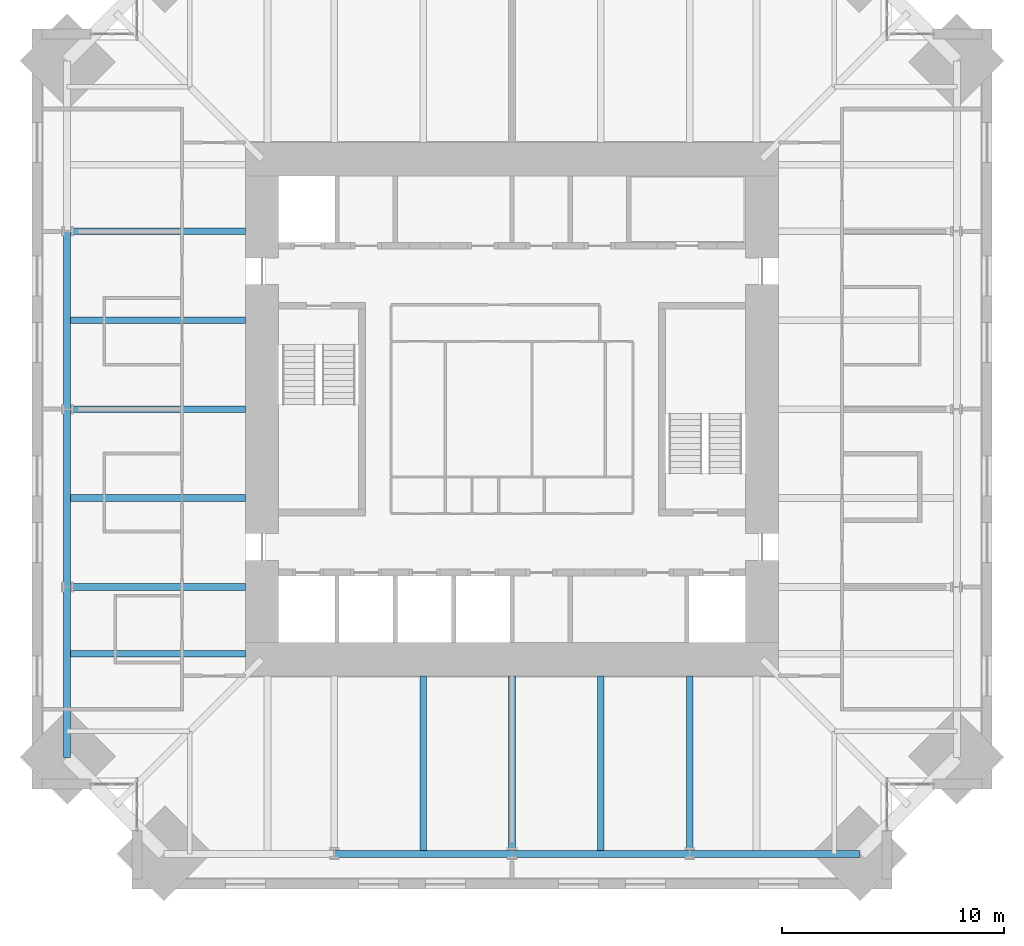
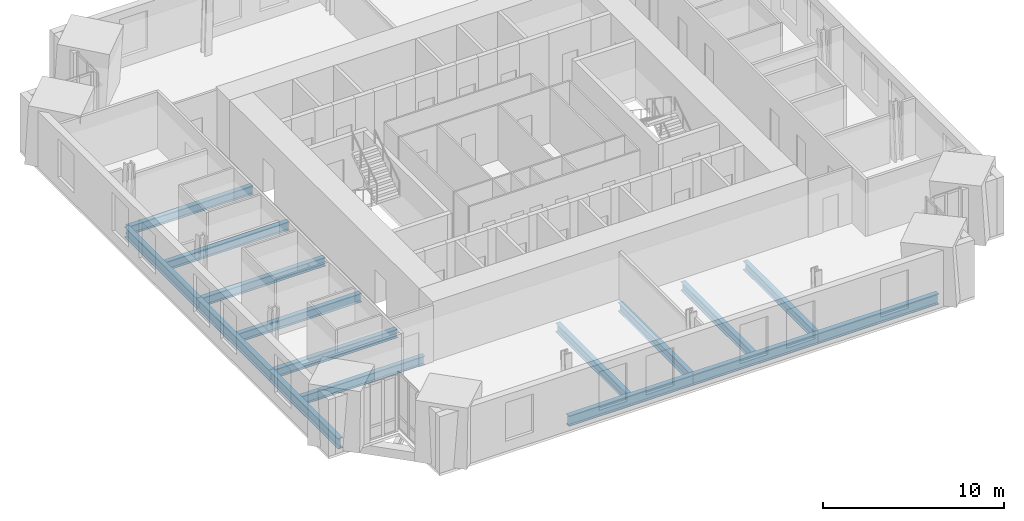
# One storey, part 3 of 16: 16 beams.
"""IFC4 building model written with IfcOpenShell, lengths in metres."""

from ifc_helpers import new_model, si_unit, direction, frame, origin, origin_2d, place, context, subcontext, project, spatial, i_section, extrude, material, material_profile, profile_set, type_object, element, save


model = new_model("IFC4")

# Units and contexts
model_context = context("Model", 3, precision=1e-05, world=origin(), true_north=direction((0.0, 1.0)))
body_context = subcontext(model_context, "Body", "Model", "MODEL_VIEW")
ifc_project = project(units=[si_unit("LENGTHUNIT", "METRE"), si_unit("AREAUNIT", "SQUARE_METRE"), si_unit("VOLUMEUNIT", "CUBIC_METRE"), si_unit("PLANEANGLEUNIT", "RADIAN"), si_unit("MASSUNIT", "GRAM", prefix="KILO")], contexts=[model_context])

# Site, building, storey
site_placement = place(None, origin())
site = spatial("IfcSite", under=ifc_project, at=site_placement, CompositionType="ELEMENT")
building_placement = place(site_placement, origin())
building = spatial("IfcBuilding", under=site, at=building_placement, Name="Peilmerk Tower", CompositionType="ELEMENT")
storey_placement = place(building_placement, frame((0.0, 0.0, 269.800048828125)))
storey = spatial("IfcBuildingStorey", under=building, at=storey_placement, Name="L60", CompositionType="ELEMENT", Elevation=269.800048828125)

# Beams
ifc_material = material(Name="Steel S355", Category="steel")
ifc_material_profile_1 = material_profile(ifc_material, i_section(OverallWidth=0.300048828125, OverallDepth=0.590087890625, WebThickness=0.012939453125, FlangeThickness=0.02490234375, at=origin_2d()), Name="HEA 600")
ifc_profile_set_1 = profile_set([ifc_material_profile_1], Name="Steel S355")
beam_type_1 = type_object("IfcBeamType", Name="B27 HEA 600 floor beam", PredefinedType="BEAM", material=ifc_profile_set_1)
for number, where, z_axis, x_axis, name in (
    (1, (-4.0, -12.0, -0.465087890625), (0.0, -1.0, 0.0), (1.0, 0.0, 0.0), "Floor beam L60"),
    (2, (0.0, -12.0, -0.465087890625), (0.0, -1.0, 0.0), (1.0, 0.0, 0.0), "Floor beam L60"),
    (3, (4.0, -12.0, -0.465087890625), (0.0, -1.0, 0.0), (1.0, 0.0, 0.0), "Floor beam L60"),
    (4, (8.0, -12.0, -0.465087890625), (0.0, -1.0, 0.0), (1.0, 0.0, 0.0), "Floor beam L60"),
    (5, (-12.0, 8.0, -0.465087890625), (-1.0, 0.0, 0.0), (0.0, -1.0, 0.0), "Floor beam L60"),
    (6, (-12.0, 4.0, -0.465087890625), (-1.0, 0.0, 0.0), (0.0, -1.0, 0.0), "Floor beam L60"),
    (7, (-12.0, 0.0, -0.465087890625), (-1.0, 0.0, 0.0), (0.0, -1.0, 0.0), "Floor beam L60"),
    (8, (-12.0, -4.0, -0.465087890625), (-1.0, 0.0, 0.0), (0.0, -1.0, 0.0), "Floor beam L60"),
    (9, (-12.0, -8.0, -0.465087890625), (-1.0, 0.0, 0.0), (0.0, -1.0, 0.0), "Floor beam L60"),
    (10, (-12.0, -11.0, -0.465087890625), (-1.0, 0.0, 0.0), (0.0, -1.0, 0.0), "Floor beam L60"),
):
    element("IfcBeam", number, at=place(storey_placement, frame(where, z_axis=z_axis, x_axis=x_axis)), inside=storey, type_object=beam_type_1, Name=name, PredefinedType="BEAM", context=body_context, shape_type="SweptSolid", body=[
        extrude(i_section(OverallWidth=0.300048828125, OverallDepth=0.590087890625, WebThickness=0.012939453125, FlangeThickness=0.02490234375, at=origin_2d()), origin(), (0.0, 0.0, 1.0), 8.017822265625),
    ])
ifc_material_profile_2 = material_profile(ifc_material, i_section(OverallWidth=0.303955078125, OverallDepth=0.716064453125, WebThickness=0.02099609375, FlangeThickness=0.0400390625, at=origin_2d()), Name="HEM 700")
ifc_profile_set_2 = profile_set([ifc_material_profile_2], Name="Steel S355")
beam_type_2 = type_object("IfcBeamType", Name="B30 HEM 700 edge beam", PredefinedType="SPANDREL", material=ifc_profile_set_2)
for number, where, z_axis, x_axis, name in (
    (11, (-8.0, -20.017822265625, -0.528076171875), (1.0, 0.0, 0.0), (0.0, 1.0, 0.0), "Edge beam L60"),
    (12, (0.0, -20.017822265625, -0.528076171875), (1.0, 0.0, 0.0), (0.0, 1.0, 0.0), "Edge beam L60"),
):
    element("IfcBeam", number, at=place(storey_placement, frame(where, z_axis=z_axis, x_axis=x_axis)), inside=storey, type_object=beam_type_2, Name=name, PredefinedType="SPANDREL", context=body_context, shape_type="SweptSolid", body=[
        extrude(i_section(OverallWidth=0.303955078125, OverallDepth=0.716064453125, WebThickness=0.02099609375, FlangeThickness=0.0400390625, at=origin_2d()), origin(), (0.0, 0.0, 1.0), 8.0),
    ])
beam_1_placement = place(storey_placement, frame((8.0, -20.017822265625, -0.528076171875), z_axis=(1.0, 0.0, 0.0), x_axis=(0.0, 1.0, 0.0)))
element("IfcBeam", 13, at=beam_1_placement, inside=storey, type_object=beam_type_2, Name="Edge beam L60", PredefinedType="SPANDREL", context=body_context, shape_type="SweptSolid", body=[
    extrude(i_section(OverallWidth=0.303955078125, OverallDepth=0.716064453125, WebThickness=0.02099609375, FlangeThickness=0.0400390625, at=origin_2d()), origin(), (0.0, 0.0, 1.0), 7.667724609375),
])
for number, where, z_axis, x_axis, name in (
    (14, (-20.017822265625, 8.0, -0.528076171875), (0.0, -1.0, 0.0), (1.0, 0.0, 0.0), "Edge beam L60"),
    (15, (-20.017822265625, 0.0, -0.528076171875), (0.0, -1.0, 0.0), (1.0, 0.0, 0.0), "Edge beam L60"),
):
    element("IfcBeam", number, at=place(storey_placement, frame(where, z_axis=z_axis, x_axis=x_axis)), inside=storey, type_object=beam_type_2, Name=name, PredefinedType="SPANDREL", context=body_context, shape_type="SweptSolid", body=[
        extrude(i_section(OverallWidth=0.303955078125, OverallDepth=0.716064453125, WebThickness=0.02099609375, FlangeThickness=0.0400390625, at=origin_2d()), origin(), (0.0, 0.0, 1.0), 8.0),
    ])
beam_2_placement = place(storey_placement, frame((-20.017822265625, -8.0, -0.528076171875), z_axis=(0.0, -1.0, 0.0), x_axis=(1.0, 0.0, 0.0)))
element("IfcBeam", 16, at=beam_2_placement, inside=storey, type_object=beam_type_2, Name="Edge beam L60", PredefinedType="SPANDREL", context=body_context, shape_type="SweptSolid", body=[
    extrude(i_section(OverallWidth=0.303955078125, OverallDepth=0.716064453125, WebThickness=0.02099609375, FlangeThickness=0.0400390625, at=origin_2d()), origin(), (0.0, 0.0, 1.0), 7.667724609375),
])

save(model, "model.ifc")
